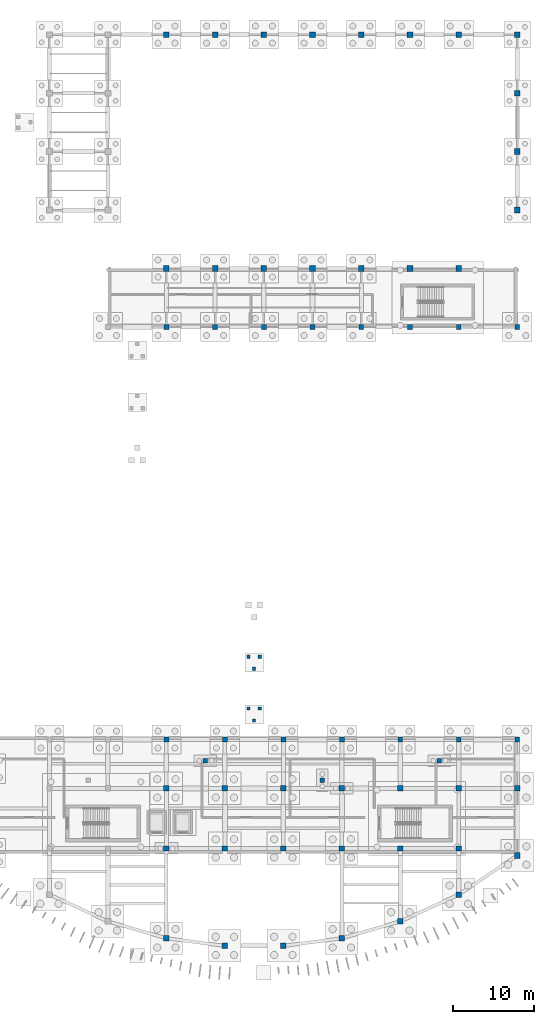
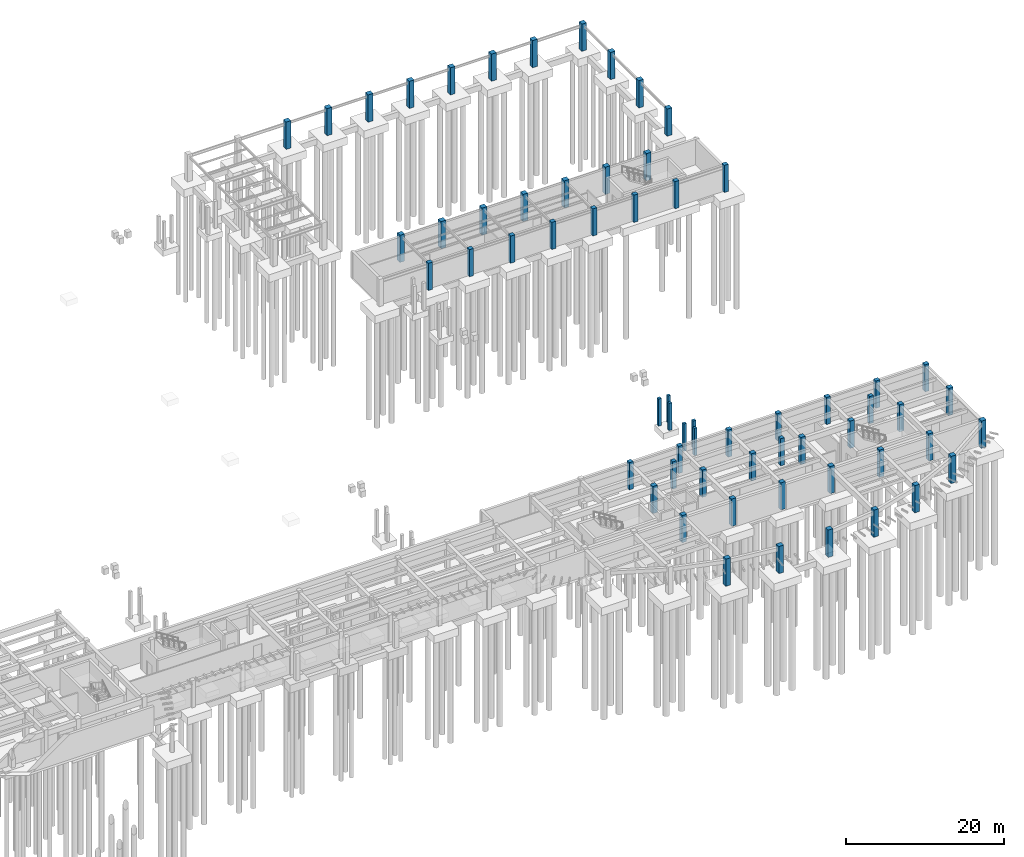
# One storey, part 10 of 31: 62 columns.
"""IFC4 building model written with IfcOpenShell, lengths in metres."""

from ifc_helpers import new_model, si_unit, direction, frame, origin, origin_2d, place, context, subcontext, project, spatial, rectangle, extrude, material, material_profile, profile_set, type_object, element, save


model = new_model("IFC4")

# Units and contexts
model_context = context("Model", 3, precision=1e-05, world=origin(), true_north=direction((0.0, 1.0)))
body_context = subcontext(model_context, "Body", "Model", "MODEL_VIEW")
ifc_project = project(units=[si_unit("LENGTHUNIT", "METRE"), si_unit("AREAUNIT", "SQUARE_METRE"), si_unit("VOLUMEUNIT", "CUBIC_METRE"), si_unit("PLANEANGLEUNIT", "RADIAN"), si_unit("MASSUNIT", "GRAM", prefix="KILO")], contexts=[model_context])

# Site, building, storey
site_placement = place(None, origin())
site = spatial("IfcSite", under=ifc_project, at=site_placement, CompositionType="ELEMENT")
building_placement = place(site_placement, origin())
building = spatial("IfcBuilding", under=site, at=building_placement, Name="Brisavento Harbour Community Centre", CompositionType="ELEMENT")
storey_placement = place(building_placement, frame((0.0, 0.0, -4.199951171875)))
storey = spatial("IfcBuildingStorey", under=building, at=storey_placement, Name="B1", CompositionType="ELEMENT", Elevation=-4.199951171875)

# Columns
ifc_material_1 = material(Name="Concrete C35/45", Category="concrete")
ifc_material_profile_1 = material_profile(ifc_material_1, rectangle(XDim=0.39990234375, YDim=0.39990234375, at=origin_2d()), Name="Concrete C35/45")
ifc_profile_set_1 = profile_set([ifc_material_profile_1], Name="Concrete C35/45")
column_type_1 = type_object("IfcColumnType", Name="COL-RC-400", PredefinedType="COLUMN", material=ifc_profile_set_1)
for number, where, z_axis, x_axis, name in (
    (1, (139.719970703125, 38.60009765625, 0.0), (0.0, 0.0, 1.0), (1.0, 0.0, 0.0), "MST-05 MID support column 1 B1"),
    (2, (141.080078125, 38.60009765625, 0.0), (0.0, 0.0, 1.0), (1.0, 0.0, 0.0), "MST-05 MID support column 2 B1"),
    (3, (140.39990234375, 37.110107421875, 0.0), (0.0, 0.0, 1.0), (1.0, 0.0, 0.0), "MST-05 MID support column 3 B1"),
    (4, (139.719970703125, 32.22998046875, 0.0), (0.0, 0.0, 1.0), (1.0, 0.0, 0.0), "MST-05 TOP support column 1 B1"),
    (5, (141.080078125, 32.22998046875, 0.0), (0.0, 0.0, 1.0), (1.0, 0.0, 0.0), "MST-05 TOP support column 2 B1"),
    (6, (140.39990234375, 30.739990234375, 0.0), (0.0, 0.0, 1.0), (1.0, 0.0, 0.0), "MST-05 TOP support column 3 B1"),
):
    element("IfcColumn", number, at=place(storey_placement, frame(where, z_axis=z_axis, x_axis=x_axis)), inside=storey, type_object=column_type_1, Name=name, PredefinedType="COLUMN", context=body_context, shape_type="SweptSolid", body=[
        extrude(rectangle(XDim=0.39990234375, YDim=0.39990234375, at=origin_2d()), origin(), (0.0, 0.0, 1.0), 4.199951171875),
    ])
ifc_material_profile_2 = material_profile(ifc_material_1, rectangle(XDim=0.550048828125, YDim=0.550048828125, at=origin_2d()), Name="Concrete C35/45")
ifc_profile_set_2 = profile_set([ifc_material_profile_2], Name="Concrete C35/45")
column_type_2 = type_object("IfcColumnType", Name="COL-RC-550", PredefinedType="COLUMN", material=ifc_profile_set_2)
for number, where, z_axis, x_axis, name in (
    (7, (134.39990234375, 25.800048828125, 0.0), (0.0, 0.0, 1.0), (1.0, 0.0, 0.0), "B1 column V3TER-134"),
    (8, (148.800048828125, 23.39990234375, 0.0), (0.0, 0.0, 1.0), (1.0, 0.0, 0.0), "B1 column V3TER-148"),
    (9, (163.199951171875, 25.800048828125, 0.0), (0.0, 0.0, 1.0), (1.0, 0.0, 0.0), "B1 column V3TER-163"),
):
    element("IfcColumn", number, at=place(storey_placement, frame(where, z_axis=z_axis, x_axis=x_axis)), inside=storey, type_object=column_type_2, Name=name, PredefinedType="COLUMN", context=body_context, shape_type="SweptSolid", body=[
        extrude(rectangle(XDim=0.550048828125, YDim=0.550048828125, at=origin_2d()), origin(), (0.0, 0.0, 1.0), 4.199951171875),
    ])
ifc_material_profile_3 = material_profile(ifc_material_1, rectangle(XDim=0.60009765625, YDim=0.60009765625, at=origin_2d()), Name="Concrete C35/45")
ifc_profile_set_3 = profile_set([ifc_material_profile_3], Name="Concrete C35/45")
column_type_3 = type_object("IfcColumnType", Name="COL-RC-600", PredefinedType="COLUMN", material=ifc_profile_set_3)
for number, where, z_axis, x_axis, name in (
    (10, (129.60009765625, 28.39990234375, 0.0), (0.0, 0.0, 1.0), (1.0, 0.0, 0.0), "B1 column V3N2-129"),
    (11, (136.800048828125, 28.39990234375, 0.0), (0.0, 0.0, 1.0), (1.0, 0.0, 0.0), "B1 column V3N2-136"),
    (12, (144.0, 28.39990234375, 0.0), (0.0, 0.0, 1.0), (1.0, 0.0, 0.0), "B1 column V3N2-144"),
    (13, (151.199951171875, 28.39990234375, 0.0), (0.0, 0.0, 1.0), (1.0, 0.0, 0.0), "B1 column V3N2-151"),
    (14, (158.39990234375, 28.39990234375, 0.0), (0.0, 0.0, 1.0), (1.0, 0.0, 0.0), "B1 column V3N2-158"),
    (15, (165.60009765625, 28.39990234375, 0.0), (0.0, 0.0, 1.0), (1.0, 0.0, 0.0), "B1 column V3N2-165"),
    (16, (172.800048828125, 28.39990234375, 0.0), (0.0, 0.0, 1.0), (1.0, 0.0, 0.0), "B1 column V3N2-172"),
    (17, (129.60009765625, 79.199951171875, 0.0), (0.0, 0.0, 1.0), (1.0, 0.0, 0.0), "B1 column V4SB-1"),
    (18, (135.60009765625, 79.199951171875, 0.0), (0.0, 0.0, 1.0), (1.0, 0.0, 0.0), "B1 column V4SB-2"),
    (19, (141.60009765625, 79.199951171875, 0.0), (0.0, 0.0, 1.0), (1.0, 0.0, 0.0), "B1 column V4SB-3"),
    (20, (147.60009765625, 79.199951171875, 0.0), (0.0, 0.0, 1.0), (1.0, 0.0, 0.0), "B1 column V4SB-4"),
    (21, (153.60009765625, 79.199951171875, 0.0), (0.0, 0.0, 1.0), (1.0, 0.0, 0.0), "B1 column V4SB-5"),
    (22, (159.60009765625, 79.199951171875, 0.0), (0.0, 0.0, 1.0), (1.0, 0.0, 0.0), "B1 column V4SB-6"),
    (23, (165.60009765625, 79.199951171875, 0.0), (0.0, 0.0, 1.0), (1.0, 0.0, 0.0), "B1 column V4SB-7"),
    (24, (172.800048828125, 79.199951171875, 0.0), (0.0, 0.0, 1.0), (1.0, 0.0, 0.0), "B1 column V4SE-CORN"),
):
    element("IfcColumn", number, at=place(storey_placement, frame(where, z_axis=z_axis, x_axis=x_axis)), inside=storey, type_object=column_type_3, Name=name, PredefinedType="COLUMN", context=body_context, shape_type="SweptSolid", body=[
        extrude(rectangle(XDim=0.60009765625, YDim=0.60009765625, at=origin_2d()), origin(), (0.0, 0.0, 1.0), 4.199951171875),
    ])
ifc_material_2 = material(Name="Concrete C40/50", Category="concrete")
ifc_material_profile_4 = material_profile(ifc_material_2, rectangle(XDim=0.64990234375, YDim=0.64990234375, at=origin_2d()), Name="Concrete C40/50")
ifc_profile_set_4 = profile_set([ifc_material_profile_4], Name="Concrete C40/50")
column_type_4 = type_object("IfcColumnType", Name="COL-RC-650", PredefinedType="COLUMN", material=ifc_profile_set_4)
for number, where, z_axis, x_axis, name in (
    (25, (129.60009765625, 15.0, 0.0), (0.0, 0.0, 1.0), (1.0, 0.0, 0.0), "B1 column V3M-129"),
    (26, (129.60009765625, 22.39990234375, 0.0), (0.0, 0.0, 1.0), (1.0, 0.0, 0.0), "B1 column V3N1-129"),
    (27, (136.800048828125, 15.0, 0.0), (0.0, 0.0, 1.0), (1.0, 0.0, 0.0), "B1 column V3M-136"),
    (28, (136.800048828125, 22.39990234375, 0.0), (0.0, 0.0, 1.0), (1.0, 0.0, 0.0), "B1 column V3N1-136"),
    (29, (144.0, 15.0, 0.0), (0.0, 0.0, 1.0), (1.0, 0.0, 0.0), "B1 column V3M-144"),
    (30, (144.0, 22.39990234375, 0.0), (0.0, 0.0, 1.0), (1.0, 0.0, 0.0), "B1 column V3N1-144"),
    (31, (151.199951171875, 15.0, 0.0), (0.0, 0.0, 1.0), (1.0, 0.0, 0.0), "B1 column V3M-151"),
    (32, (151.199951171875, 22.39990234375, 0.0), (0.0, 0.0, 1.0), (1.0, 0.0, 0.0), "B1 column V3N1-151"),
    (33, (158.39990234375, 15.0, 0.0), (0.0, 0.0, 1.0), (1.0, 0.0, 0.0), "B1 column V3M-158"),
    (34, (158.39990234375, 22.39990234375, 0.0), (0.0, 0.0, 1.0), (1.0, 0.0, 0.0), "B1 column V3N1-158"),
    (35, (165.60009765625, 15.0, 0.0), (0.0, 0.0, 1.0), (1.0, 0.0, 0.0), "B1 column V3M-165"),
    (36, (165.60009765625, 22.39990234375, 0.0), (0.0, 0.0, 1.0), (1.0, 0.0, 0.0), "B1 column V3N1-165"),
    (37, (172.800048828125, 22.39990234375, 0.0), (0.0, 0.0, 1.0), (1.0, 0.0, 0.0), "B1 column V3N1-172"),
):
    element("IfcColumn", number, at=place(storey_placement, frame(where, z_axis=z_axis, x_axis=x_axis)), inside=storey, type_object=column_type_4, Name=name, PredefinedType="COLUMN", context=body_context, shape_type="SweptSolid", body=[
        extrude(rectangle(XDim=0.64990234375, YDim=0.64990234375, at=origin_2d()), origin(), (0.0, 0.0, 1.0), 4.199951171875),
    ])
ifc_material_profile_5 = material_profile(ifc_material_2, rectangle(XDim=0.699951171875, YDim=0.699951171875, at=origin_2d()), Name="Concrete C40/50")
ifc_profile_set_5 = profile_set([ifc_material_profile_5], Name="Concrete C40/50")
column_type_5 = type_object("IfcColumnType", Name="COL-RC-700", PredefinedType="COLUMN", material=ifc_profile_set_5)
for number, where, z_axis, x_axis, name in (
    (38, (129.60009765625, 3.93408203125, 0.0), (0.0, 0.0, 1.0), (1.0, 0.0, 0.0), "B1 column V3S-129"),
    (39, (136.800048828125, 3.0, 0.0), (0.0, 0.0, 1.0), (1.0, 0.0, 0.0), "B1 column V3S-136"),
    (40, (144.0, 3.0, 0.0), (0.0, 0.0, 1.0), (1.0, 0.0, 0.0), "B1 column V3S-144"),
    (41, (151.199951171875, 3.93408203125, 0.0), (0.0, 0.0, 1.0), (1.0, 0.0, 0.0), "B1 column V3S-151"),
    (42, (158.39990234375, 6.014892578125, 0.0), (0.0, 0.0, 1.0), (1.0, 0.0, 0.0), "B1 column V3S-158"),
    (43, (165.60009765625, 9.31396484375, 0.0), (0.0, 0.0, 1.0), (1.0, 0.0, 0.0), "B1 column V3S-165"),
    (44, (172.800048828125, 14.1279296875, 0.0), (0.0, 0.0, 1.0), (1.0, 0.0, 0.0), "B1 column V3S-172"),
    (45, (129.60009765625, 86.39990234375, 0.0), (0.0, 0.0, 1.0), (1.0, 0.0, 0.0), "B1 column V4TS-1"),
    (46, (129.60009765625, 115.199951171875, 0.0), (0.0, 0.0, 1.0), (1.0, 0.0, 0.0), "B1 column V4TN-1"),
    (47, (135.60009765625, 86.39990234375, 0.0), (0.0, 0.0, 1.0), (1.0, 0.0, 0.0), "B1 column V4TS-2"),
    (48, (135.60009765625, 115.199951171875, 0.0), (0.0, 0.0, 1.0), (1.0, 0.0, 0.0), "B1 column V4TN-2"),
    (49, (141.60009765625, 86.39990234375, 0.0), (0.0, 0.0, 1.0), (1.0, 0.0, 0.0), "B1 column V4TS-3"),
    (50, (141.60009765625, 115.199951171875, 0.0), (0.0, 0.0, 1.0), (1.0, 0.0, 0.0), "B1 column V4TN-3"),
    (51, (147.60009765625, 86.39990234375, 0.0), (0.0, 0.0, 1.0), (1.0, 0.0, 0.0), "B1 column V4TS-4"),
    (52, (147.60009765625, 115.199951171875, 0.0), (0.0, 0.0, 1.0), (1.0, 0.0, 0.0), "B1 column V4TN-4"),
    (53, (153.60009765625, 86.39990234375, 0.0), (0.0, 0.0, 1.0), (1.0, 0.0, 0.0), "B1 column V4TS-5"),
    (54, (153.60009765625, 115.199951171875, 0.0), (0.0, 0.0, 1.0), (1.0, 0.0, 0.0), "B1 column V4TN-5"),
    (55, (159.60009765625, 86.39990234375, 0.0), (0.0, 0.0, 1.0), (1.0, 0.0, 0.0), "B1 column V4TS-6"),
    (56, (159.60009765625, 115.199951171875, 0.0), (0.0, 0.0, 1.0), (1.0, 0.0, 0.0), "B1 column V4TN-6"),
    (57, (165.60009765625, 86.39990234375, 0.0), (0.0, 0.0, 1.0), (1.0, 0.0, 0.0), "B1 column V4TS-7"),
    (58, (165.60009765625, 115.199951171875, 0.0), (0.0, 0.0, 1.0), (1.0, 0.0, 0.0), "B1 column V4TN-7"),
    (59, (172.800048828125, 93.60009765625, 0.0), (0.0, 0.0, 1.0), (1.0, 0.0, 0.0), "B1 column V4E-93"),
    (60, (172.800048828125, 100.800048828125, 0.0), (0.0, 0.0, 1.0), (1.0, 0.0, 0.0), "B1 column V4E-100"),
    (61, (172.800048828125, 108.0, 0.0), (0.0, 0.0, 1.0), (1.0, 0.0, 0.0), "B1 column V4E-108"),
    (62, (172.800048828125, 115.199951171875, 0.0), (0.0, 0.0, 1.0), (1.0, 0.0, 0.0), "B1 column V4E-115"),
):
    element("IfcColumn", number, at=place(storey_placement, frame(where, z_axis=z_axis, x_axis=x_axis)), inside=storey, type_object=column_type_5, Name=name, PredefinedType="COLUMN", context=body_context, shape_type="SweptSolid", body=[
        extrude(rectangle(XDim=0.699951171875, YDim=0.699951171875, at=origin_2d()), origin(), (0.0, 0.0, 1.0), 4.199951171875),
    ])

save(model, "model.ifc")
